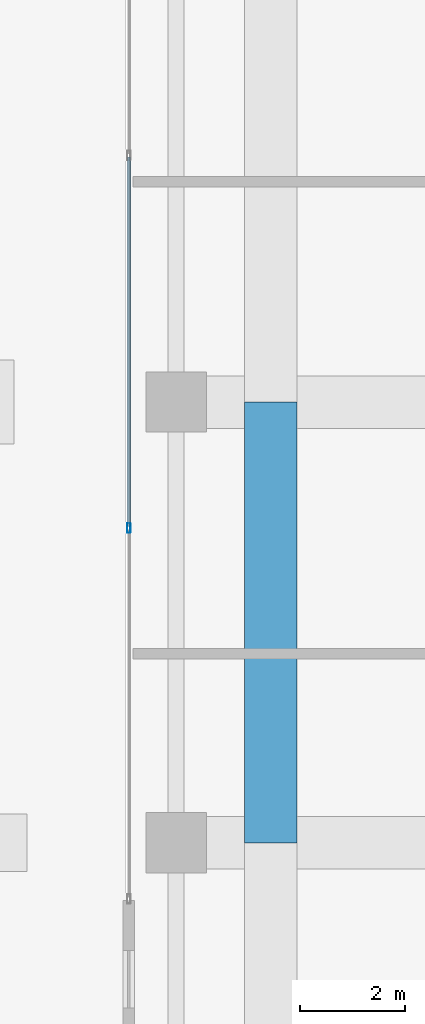
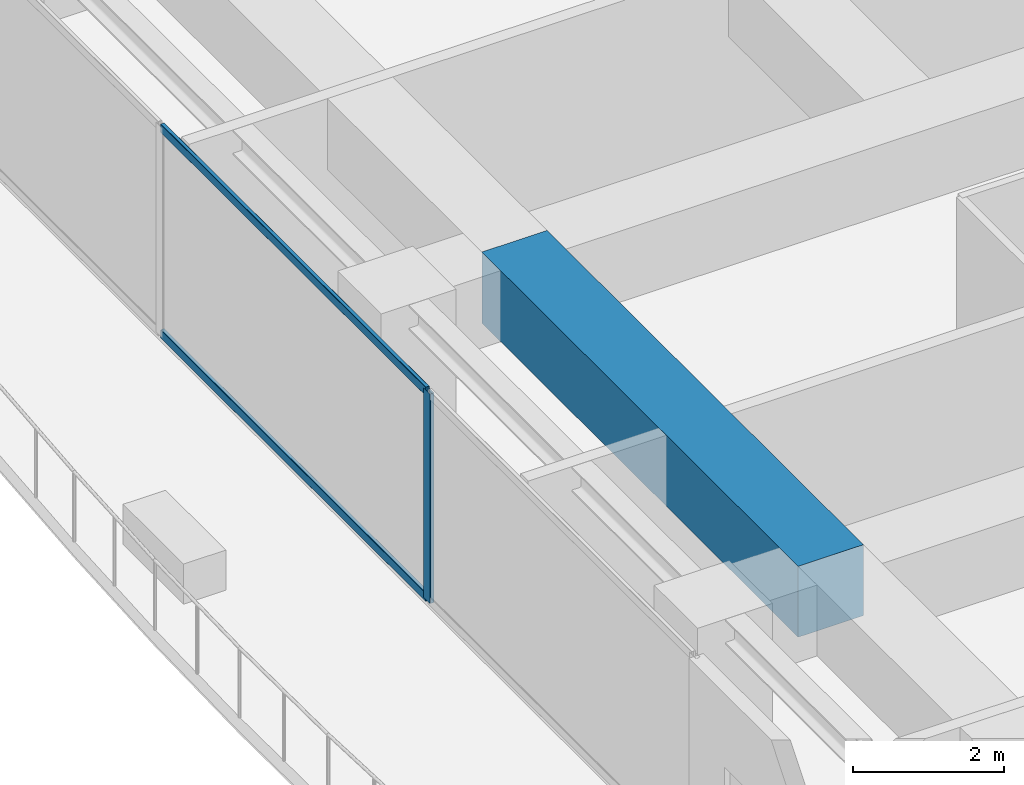
# One storey, part 11 of 39: 3 members, 1 beam, 1 element without a shape of its own.
"""IFC4 building model written with IfcOpenShell, lengths in metres."""

from ifc_helpers import new_model, si_unit, direction, frame, origin, origin_2d, place, context, subcontext, project, spatial, rectangle, hollow_rectangle, extrude, source, transform, mapped, material, layer, layer_set, material_profile, profile_set, type_object, element, aggregate, save


model = new_model("IFC4")

# Units and contexts
model_context = context("Model", 3, precision=1e-05, world=origin(), true_north=direction((0.0, 1.0)))
body_context = subcontext(model_context, "Body", "Model", "MODEL_VIEW")
ifc_project = project(units=[si_unit("LENGTHUNIT", "METRE"), si_unit("AREAUNIT", "SQUARE_METRE"), si_unit("VOLUMEUNIT", "CUBIC_METRE"), si_unit("PLANEANGLEUNIT", "RADIAN"), si_unit("MASSUNIT", "GRAM", prefix="KILO")], contexts=[model_context])

# Site, building, storey
site_placement = place(None, origin())
site = spatial("IfcSite", under=ifc_project, at=site_placement, CompositionType="ELEMENT")
building_placement = place(site_placement, origin())
building = spatial("IfcBuilding", under=site, at=building_placement, Name="Serunith Strait Residences", CompositionType="ELEMENT")
storey_placement = place(building_placement, frame((0.0, 0.0, 283.60009765625)))
storey = spatial("IfcBuildingStorey", under=building, at=storey_placement, Name="L71", CompositionType="ELEMENT", Elevation=283.60009765625)

# Beam
ifc_material_1 = material(Name="Concrete C80/95", Category="concrete")
ifc_material_profile_1 = material_profile(ifc_material_1, rectangle(XDim=1.0, YDim=1.14990234375, at=origin_2d()), Name="RC 1000x1150")
ifc_profile_set_1 = profile_set([ifc_material_profile_1], Name="Concrete C80/95")
beam_type = type_object("IfcBeamType", Name="BM-XFER-1000x1150", PredefinedType="BEAM", material=ifc_profile_set_1)
shared_shape_1 = source(origin(), body_context, "Body", "SweptSolid", [
    extrude(rectangle(XDim=1.0, YDim=1.14990234375, at=origin_2d()), origin(), (0.0, 0.0, 1.0), 8.39990234375),
])
beam_placement = place(storey_placement, frame((10.10009765625, 29.39990234375, 2.8349609375), z_axis=(0.0, -1.0, 0.0), x_axis=(1.0, 0.0, 0.0)))
element("IfcBeam", 1, at=beam_placement, inside=storey, type_object=beam_type, Name="L71 Flare Upper Ring Transfer Girder 14", PredefinedType="BEAM", context=body_context, shape_type="MappedRepresentation", body=[
    mapped(shared_shape_1, transform((0.0, 0.0, 0.0), scale=1.0)),
])

# Curtain wall, members
ifc_material_2 = material(Name="Pale-Champagne Anodised Aluminium", Category="aluminium")
ifc_layer = layer(ifc_material_2, 0.199951171875, Name="Pale-Champagne Anodised Aluminium")
ifc_layer_set = layer_set([ifc_layer], Name="Pale-Champagne Anodised Aluminium")
curtain_wall_type = type_object("IfcCurtainWallType", Name="CW-SYS4", PredefinedType="NOTDEFINED", material=ifc_layer_set)
curtain_wall_placement = place(storey_placement, origin())
curtain_wall = element("IfcCurtainWall", 2, at=curtain_wall_placement, inside=storey, type_object=curtain_wall_type, Name="L71 W Unitised Fritted Curtain Wall", PredefinedType="NOTDEFINED")
ifc_material_profile_2 = material_profile(ifc_material_2, hollow_rectangle(XDim=0.06005859375, YDim=0.139892578125, WallThickness=0.00341796875, InnerFilletRadius=0.00537109375, OuterFilletRadius=0.0087890625, at=origin_2d()), Name="ALU 140x60x3.5")
ifc_profile_set_2 = profile_set([ifc_material_profile_2], Name="Pale-Champagne Anodised Aluminium")
member_type_1 = type_object("IfcMemberType", Name="CW-SYS4-TRAN", PredefinedType="USERDEFINED", material=ifc_profile_set_2)
shared_shape_2 = source(origin(), body_context, "Body", "SweptSolid", [
    extrude(hollow_rectangle(XDim=0.06005859375, YDim=0.139892578125, WallThickness=0.00341796875, InnerFilletRadius=0.00537109375, OuterFilletRadius=0.0087890625, at=origin_2d()), origin(), (0.0, 0.0, 1.0), 7.034912109375),
])
member_1_placement = place(storey_placement, frame((7.39990234375, 34.0673828125, 0.02978515625), z_axis=(0.0, -1.0, 0.0), x_axis=(1.0, 0.0, 0.0)))
member_1 = element("IfcMember", 3, at=member_1_placement, type_object=member_type_1, Name="CW-4 transom 2.1", ObjectType="TRANSOM", PredefinedType="USERDEFINED", context=body_context, shape_type="MappedRepresentation", body=[
    mapped(shared_shape_2, transform((0.0, 0.0, 0.0), scale=1.0)),
])
member_2_placement = place(storey_placement, frame((7.39990234375, 34.0673828125, 3.364990234375), z_axis=(0.0, -1.0, 0.0), x_axis=(1.0, 0.0, 0.0)))
member_2 = element("IfcMember", 4, at=member_2_placement, type_object=member_type_1, Name="CW-4 transom 2.2", ObjectType="TRANSOM", PredefinedType="USERDEFINED", context=body_context, shape_type="MappedRepresentation", body=[
    mapped(shared_shape_2, transform((0.0, 0.0, 0.0), scale=1.0)),
])
ifc_material_profile_3 = material_profile(ifc_material_2, hollow_rectangle(XDim=0.06494140625, YDim=0.179931640625, WallThickness=0.00341796875, InnerFilletRadius=0.00537109375, OuterFilletRadius=0.0087890625, at=origin_2d()), Name="ALU 180x65x3.5")
ifc_profile_set_3 = profile_set([ifc_material_profile_3], Name="Pale-Champagne Anodised Aluminium")
member_type_2 = type_object("IfcMemberType", Name="CW-SYS4-MULL", PredefinedType="MULLION", material=ifc_profile_set_3)
shared_shape_3 = source(origin(), body_context, "Body", "SweptSolid", [
    extrude(hollow_rectangle(XDim=0.06494140625, YDim=0.179931640625, WallThickness=0.00341796875, InnerFilletRadius=0.00537109375, OuterFilletRadius=0.0087890625, at=origin_2d()), origin(), (0.0, 0.0, 1.0), 3.39501953125),
])
member_3_placement = place(storey_placement, frame((7.39990234375, 27.0, 0.0), z_axis=(0.0, 0.0, 1.0), x_axis=(1.0, 0.0, 0.0)))
member_3 = element("IfcMember", 5, at=member_3_placement, type_object=member_type_2, Name="CW-4 mullion 3", PredefinedType="MULLION", context=body_context, shape_type="MappedRepresentation", body=[
    mapped(shared_shape_3, transform((0.0, 0.0, 0.0), scale=1.0)),
])
aggregate(curtain_wall, [member_3, member_1, member_2])

save(model, "model.ifc")
